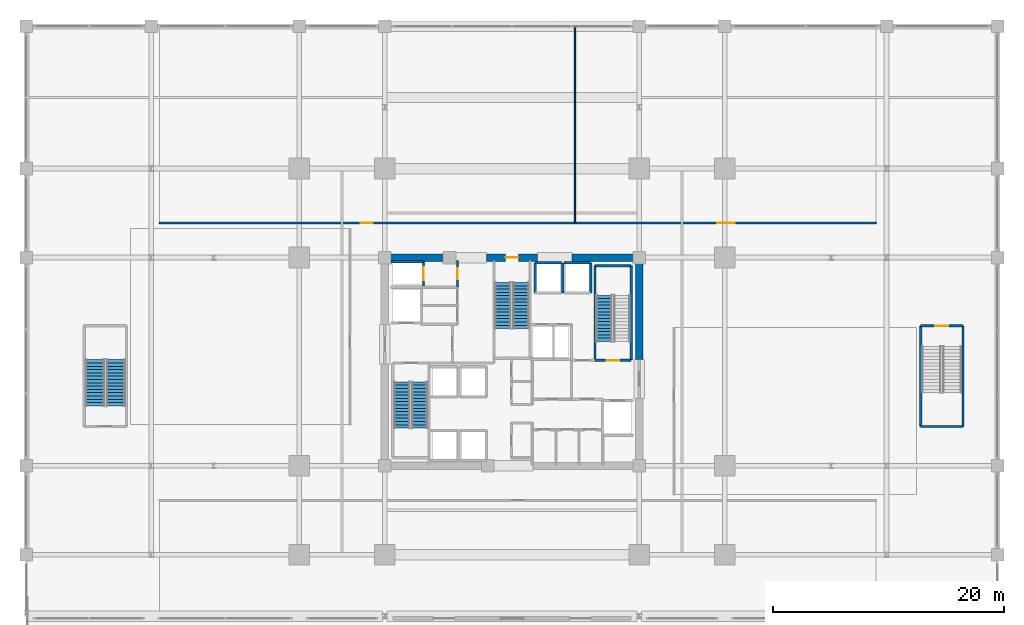
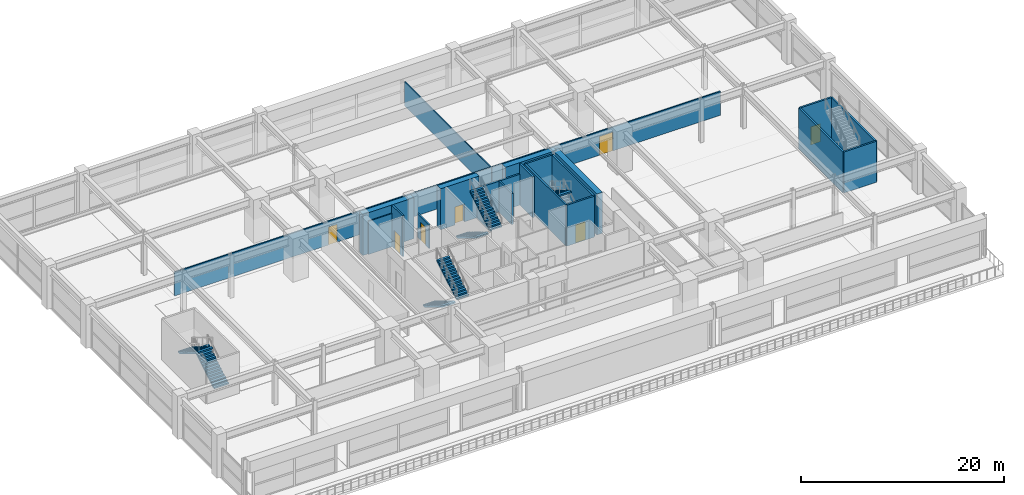
# One storey, part 37 of 43: 23 walls, 7 doors, 7 stair flights, 7 openings, 4 elements without a shape of their own.
"""IFC4 building model written with IfcOpenShell, lengths in metres."""

from ifc_helpers import new_model, si_unit, direction, frame, frame_2d, origin, place, context, subcontext, project, spatial, polyline, rectangle, outline, extrude, material, layer, layer_set, type_object, element, fill, aggregate, save


model = new_model("IFC4")

# Units and contexts
model_context = context("Model", 3, precision=1e-05, world=origin(), true_north=direction((0.0, 1.0)))
body_context = subcontext(model_context, "Body", "Model", "MODEL_VIEW")
ifc_project = project(units=[si_unit("LENGTHUNIT", "METRE"), si_unit("AREAUNIT", "SQUARE_METRE"), si_unit("VOLUMEUNIT", "CUBIC_METRE"), si_unit("PLANEANGLEUNIT", "RADIAN"), si_unit("MASSUNIT", "GRAM", prefix="KILO")], contexts=[model_context])

# Site, building, storey
site_placement = place(None, origin())
site = spatial("IfcSite", under=ifc_project, at=site_placement, CompositionType="ELEMENT")
building_placement = place(site_placement, origin())
building = spatial("IfcBuilding", under=site, at=building_placement, Name="Kovane Verandah Tower", CompositionType="ELEMENT")
storey_placement = place(building_placement, frame((0.0, 0.0, 11.199951171875)))
storey = spatial("IfcBuildingStorey", under=building, at=storey_placement, Name="L02", CompositionType="ELEMENT", Elevation=11.199951171875)

# Wall, opening, door
ifc_material_1 = material(Name="Fire-Rated Gypsum Stud Partition", Category="gypsum")
ifc_layer_1 = layer(ifc_material_1, 0.14990234375)
ifc_layer_set_1 = layer_set([ifc_layer_1], Name="Fire-Rated Gypsum Stud Partition")
wall_type_1 = type_object("IfcWallType", Name="WL-COR-150", PredefinedType="PARTITIONING", material=ifc_layer_set_1)
wall_1_placement = place(storey_placement, frame((35.280029296875, 33.949951171875, 0.0), z_axis=(0.0, 0.0, 1.0), x_axis=(0.0, 1.0, 0.0)))
wall_1 = element("IfcWall", 1, at=wall_1_placement, inside=storey, type_object=wall_type_1, Name="L02 Goods Lift Lobby East Fire Partition", PredefinedType="PARTITIONING", context=body_context, shape_type="SweptSolid", body=[
    extrude(rectangle(XDim=2.27001953125, YDim=0.14990234375, at=frame_2d((1.135009765625, 0.0))), origin(), (0.0, 0.0, 1.0), 2.85009765625),
])
opening_1_placement = place(wall_1_placement, frame((0.659912109375, 0.0, 0.0)))
opening_1 = element("IfcOpeningElement", 2, at=opening_1_placement, cuts=wall_1, Name="Opening DR-L02-006", PredefinedType="OPENING", context=body_context, shape_type="SweptSolid", body=[
    extrude(rectangle(XDim=0.949951171875, YDim=2.14990234375, at=frame_2d((0.47509765625, 1.074951171875))), frame((0.0, 0.074951171875, 0.0), z_axis=(0.0, -1.0, 0.0), x_axis=(1.0, 0.0, 0.0)), (0.0, 0.0, 1.0), 0.14990234375),
])
ifc_material_2 = material(Name="Fire-Rated Steel Refuge and Lobby Door", Category="steel")
door_type_1 = type_object("IfcDoorType", Name="DR-FIRE-950", OperationType="SINGLE_SWING_LEFT", PredefinedType="DOOR", material=ifc_material_2)
door_1_placement = place(opening_1_placement, origin())
door_1 = element("IfcDoor", 3, at=door_1_placement, inside=storey, type_object=door_type_1, Name="L02 Goods Lift Lobby Fire Door", OperationType="SINGLE_SWING_RIGHT", OverallHeight=2.14990234375, OverallWidth=0.949951171875, PredefinedType="DOOR", context=body_context, shape_type="SweptSolid", body=[
    extrude(rectangle(XDim=0.949951171875, YDim=2.14990234375, at=frame_2d((0.47509765625, 1.074951171875))), frame((0.0, 0.02490234375, 0.0), z_axis=(0.0, -1.0, 0.0), x_axis=(1.0, 0.0, 0.0)), (0.0, 0.0, 1.0), 0.050048828125),
])
fill(opening_1, door_1)

wall_2_placement = place(storey_placement, frame((9.5, 39.5, 0.0), z_axis=(0.0, 0.0, 1.0), x_axis=(1.0, 0.0, 0.0)))
wall_2 = element("IfcWall", 4, at=wall_2_placement, inside=storey, type_object=wall_type_1, Name="L02 North Exhibition Gallery Corridor Partition", PredefinedType="PARTITIONING", context=body_context, shape_type="SweptSolid", body=[
    extrude(rectangle(XDim=35.949951171875, YDim=0.14990234375, at=frame_2d((17.97509765625, 0.0))), origin(), (0.0, 0.0, 1.0), 2.85009765625),
])
opening_2_placement = place(wall_2_placement, frame((17.43994140625, 0.0, 0.0)))
opening_2 = element("IfcOpeningElement", 5, at=opening_2_placement, cuts=wall_2, Name="Opening DR-L02-022", PredefinedType="OPENING", context=body_context, shape_type="SweptSolid", body=[
    extrude(rectangle(XDim=1.0, YDim=2.14990234375, at=frame_2d((0.5, 1.074951171875))), frame((0.0, 0.074951171875, 0.0), z_axis=(0.0, -1.0, 0.0), x_axis=(1.0, 0.0, 0.0)), (0.0, 0.0, 1.0), 0.14990234375),
])
ifc_material_3 = material(Name="FSC Spotted-Gum Timber Fire-Rated Office Door", Category="wood")
door_type_2 = type_object("IfcDoorType", Name="DR-OFF-1000", OperationType="SINGLE_SWING_LEFT", PredefinedType="DOOR", material=ifc_material_3)
door_2_placement = place(opening_2_placement, origin())
door_2 = element("IfcDoor", 6, at=door_2_placement, inside=storey, type_object=door_type_2, Name="L02 North Exhibition Gallery Entrance Door", OperationType="SINGLE_SWING_RIGHT", OverallHeight=2.14990234375, OverallWidth=1.0, PredefinedType="DOOR", context=body_context, shape_type="SweptSolid", body=[
    extrude(rectangle(XDim=1.0, YDim=2.14990234375, at=frame_2d((0.5, 1.074951171875))), frame((0.0, 0.02490234375, 0.0), z_axis=(0.0, -1.0, 0.0), x_axis=(1.0, 0.0, 0.0)), (0.0, 0.0, 1.0), 0.050048828125),
])
fill(opening_2, door_2)

wall_3_placement = place(storey_placement, frame((45.52001953125, 39.5, 0.0), z_axis=(0.0, 0.0, 1.0), x_axis=(1.0, 0.0, 0.0)))
wall_3 = element("IfcWall", 7, at=wall_3_placement, inside=storey, type_object=wall_type_1, Name="L02 Executive Seminar Auditorium Corridor Partition", PredefinedType="PARTITIONING", context=body_context, shape_type="SweptSolid", body=[
    extrude(rectangle(XDim=25.97998046875, YDim=0.14990234375, at=frame_2d((12.989990234375, 0.0))), origin(), (0.0, 0.0, 1.0), 2.85009765625),
])
opening_3_placement = place(wall_3_placement, frame((12.239990234375, 0.0, 0.0)))
opening_3 = element("IfcOpeningElement", 8, at=opening_3_placement, cuts=wall_3, Name="Opening DR-L02-023", PredefinedType="OPENING", context=body_context, shape_type="SweptSolid", body=[
    extrude(rectangle(XDim=1.5, YDim=2.25, at=frame_2d((0.75, 1.125))), frame((0.0, 0.074951171875, 0.0), z_axis=(0.0, -1.0, 0.0), x_axis=(1.0, 0.0, 0.0)), (0.0, 0.0, 1.0), 0.14990234375),
])
ifc_material_4 = material(Name="Glazed Timber Fire-Rated Double Door", Category="wood")
door_type_3 = type_object("IfcDoorType", Name="DR-CONF-1500", OperationType="DOUBLE_DOOR_SINGLE_SWING", PredefinedType="DOOR", material=ifc_material_4)
door_3_placement = place(opening_3_placement, origin())
door_3 = element("IfcDoor", 9, at=door_3_placement, inside=storey, type_object=door_type_3, Name="L02 Executive Seminar Auditorium Entrance Door", OperationType="DOUBLE_DOOR_SINGLE_SWING", OverallHeight=2.25, OverallWidth=1.5, PredefinedType="DOOR", context=body_context, shape_type="SweptSolid", body=[
    extrude(rectangle(XDim=1.5, YDim=2.25, at=frame_2d((0.75, 1.125))), frame((0.0, 0.02490234375, 0.0), z_axis=(0.0, -1.0, 0.0), x_axis=(1.0, 0.0, 0.0)), (0.0, 0.0, 1.0), 0.050048828125),
])
fill(opening_3, door_3)

# Wall
ifc_material_5 = material(Name="Concrete C80/95", Category="concrete")
ifc_layer_2 = layer(ifc_material_5, 0.64990234375)
ifc_layer_set_2 = layer_set([ifc_layer_2], Name="Concrete C80/95")
wall_type_2 = type_object("IfcWallType", Name="WL-CORE-650", PredefinedType="SHEAR", material=ifc_layer_set_2)
wall_4_placement = place(storey_placement, frame((29.0, 36.5, 0.0), z_axis=(0.0, 0.0, 1.0), x_axis=(1.0, 0.0, 0.0)))
element("IfcWall", 10, at=wall_4_placement, inside=storey, type_object=wall_type_2, Name="L02 Core Shear Wall CN-1", PredefinedType="SHEAR", context=body_context, shape_type="SweptSolid", body=[
    extrude(rectangle(XDim=5.800048828125, YDim=0.64990234375, at=frame_2d((2.89990234375, 0.0))), origin(), (0.0, 0.0, 1.0), 4.920166015625),
])

# Wall, opening, door
wall_5_placement = place(storey_placement, frame((37.800048828125, 36.5, 0.0), z_axis=(0.0, 0.0, 1.0), x_axis=(1.0, 0.0, 0.0)))
wall_5 = element("IfcWall", 11, at=wall_5_placement, inside=storey, type_object=wall_type_2, Name="L02 Core Shear Wall CN-2", PredefinedType="SHEAR", context=body_context, shape_type="SweptSolid", body=[
    extrude(rectangle(XDim=4.39990234375, YDim=0.64990234375, at=frame_2d((2.199951171875, 0.0))), origin(), (0.0, 0.0, 1.0), 4.920166015625),
])
opening_4_placement = place(wall_5_placement, frame((1.64990234375, 0.0, 0.0)))
opening_4 = element("IfcOpeningElement", 12, at=opening_4_placement, cuts=wall_5, Name="Opening DR-L02-009", PredefinedType="OPENING", context=body_context, shape_type="SweptSolid", body=[
    extrude(rectangle(XDim=1.10009765625, YDim=2.14990234375, at=frame_2d((0.550048828125, 1.074951171875))), frame((0.0, 0.324951171875, 0.0), z_axis=(0.0, -1.0, 0.0), x_axis=(1.0, 0.0, 0.0)), (0.0, 0.0, 1.0), 0.64990234375),
])
ifc_material_6 = material(Name="Fire-Rated Steel Exit Door", Category="steel")
door_type_4 = type_object("IfcDoorType", Name="DR-STAIR-1100", OperationType="SINGLE_SWING_LEFT", PredefinedType="DOOR", material=ifc_material_6)
door_4_placement = place(opening_4_placement, origin())
door_4 = element("IfcDoor", 13, at=door_4_placement, inside=storey, type_object=door_type_4, Name="L02 ST-03 Fire Exit Stair Door", OperationType="SINGLE_SWING_RIGHT", OverallHeight=2.14990234375, OverallWidth=1.10009765625, PredefinedType="DOOR", context=body_context, shape_type="SweptSolid", body=[
    extrude(rectangle(XDim=1.10009765625, YDim=2.14990234375, at=frame_2d((0.550048828125, 1.074951171875))), frame((0.0, 0.02490234375, 0.0), z_axis=(0.0, -1.0, 0.0), x_axis=(1.0, 0.0, 0.0)), (0.0, 0.0, 1.0), 0.050048828125),
])
fill(opening_4, door_4)

# Walls
wall_6_placement = place(storey_placement, frame((45.199951171875, 36.5, 0.0), z_axis=(0.0, 0.0, 1.0), x_axis=(1.0, 0.0, 0.0)))
element("IfcWall", 14, at=wall_6_placement, inside=storey, type_object=wall_type_2, Name="L02 Core Shear Wall CN-3", PredefinedType="SHEAR", context=body_context, shape_type="SweptSolid", body=[
    extrude(rectangle(XDim=5.800048828125, YDim=0.64990234375, at=frame_2d((2.89990234375, 0.0))), origin(), (0.0, 0.0, 1.0), 4.920166015625),
])
wall_7_placement = place(storey_placement, frame((51.0, 27.699951171875, 0.0), z_axis=(0.0, 0.0, 1.0), x_axis=(0.0, 1.0, 0.0)))
element("IfcWall", 15, at=wall_7_placement, inside=storey, type_object=wall_type_2, Name="L02 Core Shear Wall CE-2", PredefinedType="SHEAR", context=body_context, shape_type="SweptSolid", body=[
    extrude(rectangle(XDim=8.800048828125, YDim=0.64990234375, at=frame_2d((4.39990234375, 0.0))), origin(), (0.0, 0.0, 1.0), 4.920166015625),
])
ifc_material_7 = material(Name="Concrete C45/55 Lift Shaft Wall", Category="concrete")
ifc_layer_3 = layer(ifc_material_7, 0.199951171875)
ifc_layer_set_3 = layer_set([ifc_layer_3], Name="Concrete C45/55 Lift Shaft Wall")
wall_type_3 = type_object("IfcWallType", Name="WL-LIFT-200", PredefinedType="SOLIDWALL", material=ifc_layer_set_3)
wall_8_placement = place(storey_placement, frame((32.35009765625, 36.14990234375, 0.0), z_axis=(0.0, 0.0, 1.0), x_axis=(-1.0, 0.0, 0.0)))
element("IfcWall", 16, at=wall_8_placement, inside=storey, type_object=wall_type_3, Name="L02 Lift GL-01 N Shaft Wall", PredefinedType="SOLIDWALL", context=body_context, shape_type="SweptSolid", body=[
    extrude(rectangle(XDim=2.800048828125, YDim=0.199951171875, at=frame_2d((1.39990234375, 0.0))), origin(), (0.0, 0.0, 1.0), 3.97900390625),
])

# Wall, opening, door
wall_9_placement = place(storey_placement, frame((32.35009765625, 34.050048828125, 0.0), z_axis=(0.0, 0.0, 1.0), x_axis=(0.0, 1.0, 0.0)))
wall_9 = element("IfcWall", 17, at=wall_9_placement, inside=storey, type_object=wall_type_3, Name="L02 Lift GL-01 E Shaft Wall", PredefinedType="SOLIDWALL", context=body_context, shape_type="SweptSolid", body=[
    extrude(rectangle(XDim=2.099853515625, YDim=0.199951171875, at=frame_2d((1.0498046875, 0.0))), origin(), (0.0, 0.0, 1.0), 4.920166015625),
])
opening_5_placement = place(wall_9_placement, frame((0.5, 0.0, 0.0)))
opening_5 = element("IfcOpeningElement", 18, at=opening_5_placement, cuts=wall_9, Name="Opening LD-L02-003", PredefinedType="OPENING", context=body_context, shape_type="SweptSolid", body=[
    extrude(rectangle(XDim=1.10009765625, YDim=2.199951171875, at=frame_2d((0.550048828125, 1.10009765625))), frame((0.0, 0.10009765625, 0.0), z_axis=(0.0, -1.0, 0.0), x_axis=(1.0, 0.0, 0.0)), (0.0, 0.0, 1.0), 0.199951171875),
])
ifc_material_8 = material(Name="Brushed Stainless Steel Sliding Lift Landing Door", Category="steel")
door_type_5 = type_object("IfcDoorType", Name="DR-LIFT-1100", OperationType="SLIDING_TO_RIGHT", PredefinedType="DOOR", material=ifc_material_8)
door_5_placement = place(opening_5_placement, origin())
door_5 = element("IfcDoor", 19, at=door_5_placement, inside=storey, type_object=door_type_5, Name="L02 Lift GL-01 Sliding Landing Door", OperationType="SLIDING_TO_RIGHT", OverallHeight=2.199951171875, OverallWidth=1.10009765625, PredefinedType="DOOR", context=body_context, shape_type="SweptSolid", body=[
    extrude(rectangle(XDim=1.10009765625, YDim=2.199951171875, at=frame_2d((0.550048828125, 1.10009765625))), frame((0.0, 0.02490234375, 0.0), z_axis=(0.0, -1.0, 0.0), x_axis=(1.0, 0.0, 0.0)), (0.0, 0.0, 1.0), 0.050048828125),
])
fill(opening_5, door_5)

# Walls
wall_10_placement = place(storey_placement, frame((44.300048828125, 36.050048828125, 0.0), z_axis=(0.0, 0.0, 1.0), x_axis=(-1.0, 0.0, 0.0)))
element("IfcWall", 20, at=wall_10_placement, inside=storey, type_object=wall_type_3, Name="L02 Lift SL-01 N Shaft Wall", PredefinedType="SOLIDWALL", context=body_context, shape_type="SweptSolid", body=[
    extrude(rectangle(XDim=2.300048828125, YDim=0.199951171875, at=frame_2d((1.14990234375, 0.0))), origin(), (0.0, 0.0, 1.0), 3.699951171875),
])
for number, where, z_axis, x_axis, name in (
    (21, (42.0, 36.050048828125, 0.0), (0.0, 0.0, 1.0), (0.0, -1.0, 0.0), "L02 Lift SL-01 W Shaft Wall"),
    (22, (44.39990234375, 33.449951171875, 0.0), (0.0, 0.0, 1.0), (0.0, 1.0, 0.0), "L02 Lift OL-01 and SL-01 Shared Shaft Wall"),
):
    element("IfcWall", number, at=place(storey_placement, frame(where, z_axis=z_axis, x_axis=x_axis)), inside=storey, type_object=wall_type_3, Name=name, PredefinedType="SOLIDWALL", context=body_context, shape_type="SweptSolid", body=[
        extrude(rectangle(XDim=2.60009765625, YDim=0.199951171875, at=frame_2d((1.300048828125, 0.0))), origin(), (0.0, 0.0, 1.0), 3.699951171875),
    ])
wall_11_placement = place(storey_placement, frame((46.800048828125, 36.050048828125, 0.0), z_axis=(0.0, 0.0, 1.0), x_axis=(-1.0, 0.0, 0.0)))
element("IfcWall", 23, at=wall_11_placement, inside=storey, type_object=wall_type_3, Name="L02 Lift OL-01 N Shaft Wall", PredefinedType="SOLIDWALL", context=body_context, shape_type="SweptSolid", body=[
    extrude(rectangle(XDim=2.300048828125, YDim=0.199951171875, at=frame_2d((1.14990234375, 0.0))), origin(), (0.0, 0.0, 1.0), 3.699951171875),
])
wall_12_placement = place(storey_placement, frame((46.800048828125, 33.449951171875, 0.0), z_axis=(0.0, 0.0, 1.0), x_axis=(0.0, 1.0, 0.0)))
element("IfcWall", 24, at=wall_12_placement, inside=storey, type_object=wall_type_3, Name="L02 Lift OL-01 E Shaft Wall", PredefinedType="SOLIDWALL", context=body_context, shape_type="SweptSolid", body=[
    extrude(rectangle(XDim=2.60009765625, YDim=0.199951171875, at=frame_2d((1.300048828125, 0.0))), origin(), (0.0, 0.0, 1.0), 4.920166015625),
])
ifc_material_9 = material(Name="Acoustic Fire-Rated Gypsum Partition", Category="gypsum")
ifc_layer_4 = layer(ifc_material_9, 0.1201171875)
ifc_layer_set_4 = layer_set([ifc_layer_4], Name="Acoustic Fire-Rated Gypsum Partition")
wall_type_4 = type_object("IfcWallType", Name="WL-PART-120", PredefinedType="PARTITIONING", material=ifc_layer_set_4)
wall_13_placement = place(storey_placement, frame((45.449951171875, 39.5, 0.0), z_axis=(0.0, 0.0, 1.0), x_axis=(0.0, 1.0, 0.0)))
element("IfcWall", 25, at=wall_13_placement, inside=storey, type_object=wall_type_4, Name="L02 North Exhibition Gallery Dividing Partition", PredefinedType="PARTITIONING", context=body_context, shape_type="SweptSolid", body=[
    extrude(rectangle(XDim=16.89990234375, YDim=0.1201171875, at=frame_2d((8.449951171875, 0.0))), origin(), (0.0, 0.0, 1.0), 2.85009765625),
])
ifc_material_10 = material(Name="Concrete C45/55", Category="concrete")
ifc_layer_5 = layer(ifc_material_10, 0.199951171875)
ifc_layer_set_5 = layer_set([ifc_layer_5], Name="Concrete C45/55")
wall_type_5 = type_object("IfcWallType", Name="WL-SHAFT-200", PredefinedType="SOLIDWALL", material=ifc_layer_set_5)
wall_14_placement = place(storey_placement, frame((50.300048828125, 27.64990234375, 0.0), z_axis=(0.0, 0.0, 1.0), x_axis=(0.0, 1.0, 0.0)))
element("IfcWall", 26, at=wall_14_placement, inside=storey, type_object=wall_type_5, Name="W-L02-ST02-E", PredefinedType="SOLIDWALL", context=body_context, shape_type="SweptSolid", body=[
    extrude(rectangle(XDim=8.150146484375, YDim=0.199951171875, at=frame_2d((4.0751953125, 0.0))), origin(), (0.0, 0.0, 1.0), 4.920166015625),
])
wall_15_placement = place(storey_placement, frame((47.179931640625, 35.800048828125, 0.0), z_axis=(0.0, 0.0, 1.0), x_axis=(1.0, 0.0, 0.0)))
element("IfcWall", 27, at=wall_15_placement, inside=storey, type_object=wall_type_5, Name="W-L02-ST02-N", PredefinedType="SOLIDWALL", context=body_context, shape_type="SweptSolid", body=[
    extrude(rectangle(XDim=3.1201171875, YDim=0.199951171875, at=frame_2d((1.56005859375, 0.0))), origin(), (0.0, 0.0, 1.0), 4.920166015625),
])
wall_16_placement = place(storey_placement, frame((47.179931640625, 27.6201171875, 0.0), z_axis=(0.0, 0.0, 1.0), x_axis=(0.0, 1.0, 0.0)))
element("IfcWall", 28, at=wall_16_placement, inside=storey, type_object=wall_type_5, Name="W-L02-ST02-W", PredefinedType="SOLIDWALL", context=body_context, shape_type="SweptSolid", body=[
    extrude(rectangle(XDim=8.179931640625, YDim=0.199951171875, at=frame_2d((4.08984375, 0.0))), origin(), (0.0, 0.0, 1.0), 4.920166015625),
])

# Wall, opening, door
wall_17_placement = place(storey_placement, frame((47.179931640625, 27.6201171875, 0.0), z_axis=(0.0, 0.0, 1.0), x_axis=(1.0, 0.0, 0.0)))
wall_17 = element("IfcWall", 29, at=wall_17_placement, inside=storey, type_object=wall_type_5, Name="W-L02-ST02-S", PredefinedType="SOLIDWALL", context=body_context, shape_type="SweptSolid", body=[
    extrude(rectangle(XDim=3.1201171875, YDim=0.199951171875, at=frame_2d((1.56005859375, 0.0))), origin(), (0.0, 0.0, 1.0), 4.920166015625),
])
opening_6_placement = place(wall_17_placement, frame((1.010009765625, 0.0, 0.0)))
opening_6 = element("IfcOpeningElement", 30, at=opening_6_placement, cuts=wall_17, Name="Opening DR-L02-008", PredefinedType="OPENING", context=body_context, shape_type="SweptSolid", body=[
    extrude(rectangle(XDim=1.10009765625, YDim=2.14990234375, at=frame_2d((0.550048828125, 1.074951171875))), frame((0.0, 0.10009765625, 0.0), z_axis=(0.0, -1.0, 0.0), x_axis=(1.0, 0.0, 0.0)), (0.0, 0.0, 1.0), 0.199951171875),
])
door_6_placement = place(opening_6_placement, origin())
door_6 = element("IfcDoor", 31, at=door_6_placement, inside=storey, type_object=door_type_4, Name="L02 ST-02 Fire Exit Stair Door", OperationType="SINGLE_SWING_LEFT", OverallHeight=2.14990234375, OverallWidth=1.10009765625, PredefinedType="DOOR", context=body_context, shape_type="SweptSolid", body=[
    extrude(rectangle(XDim=1.10009765625, YDim=2.14990234375, at=frame_2d((0.550048828125, 1.074951171875))), frame((0.0, 0.02490234375, 0.0), z_axis=(0.0, -1.0, 0.0), x_axis=(1.0, 0.0, 0.0)), (0.0, 0.0, 1.0), 0.050048828125),
])
fill(opening_6, door_6)

# Walls
for number, where, z_axis, x_axis, name in (
    (32, (75.340087890625, 21.89990234375, 0.0), (0.0, 0.0, 1.0), (0.0, 1.0, 0.0), "W-L02-ST-05-W"),
    (33, (79.0, 21.89990234375, 0.0), (0.0, 0.0, 1.0), (0.0, 1.0, 0.0), "W-L02-ST-05-E"),
):
    element("IfcWall", number, at=place(storey_placement, frame(where, z_axis=z_axis, x_axis=x_axis)), inside=storey, type_object=wall_type_5, Name=name, PredefinedType="SOLIDWALL", context=body_context, shape_type="SweptSolid", body=[
        extrude(rectangle(XDim=8.7001953125, YDim=0.199951171875, at=frame_2d((4.35009765625, 0.0))), origin(), (0.0, 0.0, 1.0), 4.920166015625),
    ])

# Wall, opening, door
wall_18_placement = place(storey_placement, frame((75.340087890625, 30.60009765625, 0.0), z_axis=(0.0, 0.0, 1.0), x_axis=(1.0, 0.0, 0.0)))
wall_18 = element("IfcWall", 34, at=wall_18_placement, inside=storey, type_object=wall_type_5, Name="W-L02-ST-05-N", PredefinedType="SOLIDWALL", context=body_context, shape_type="SweptSolid", body=[
    extrude(rectangle(XDim=3.659912109375, YDim=0.199951171875, at=frame_2d((1.830078125, 0.0))), origin(), (0.0, 0.0, 1.0), 4.920166015625),
])
opening_7_placement = place(wall_18_placement, frame((1.280029296875, 0.0, 0.0)))
opening_7 = element("IfcOpeningElement", 35, at=opening_7_placement, cuts=wall_18, Name="Opening DR-L02-011", PredefinedType="OPENING", context=body_context, shape_type="SweptSolid", body=[
    extrude(rectangle(XDim=1.10009765625, YDim=2.14990234375, at=frame_2d((0.550048828125, 1.074951171875))), frame((0.0, 0.10009765625, 0.0), z_axis=(0.0, -1.0, 0.0), x_axis=(1.0, 0.0, 0.0)), (0.0, 0.0, 1.0), 0.199951171875),
])
door_7_placement = place(opening_7_placement, origin())
door_7 = element("IfcDoor", 36, at=door_7_placement, inside=storey, type_object=door_type_4, Name="L02 ST-05 Fire Exit Stair Door", OperationType="SINGLE_SWING_RIGHT", OverallHeight=2.14990234375, OverallWidth=1.10009765625, PredefinedType="DOOR", context=body_context, shape_type="SweptSolid", body=[
    extrude(rectangle(XDim=1.10009765625, YDim=2.14990234375, at=frame_2d((0.550048828125, 1.074951171875))), frame((0.0, 0.02490234375, 0.0), z_axis=(0.0, -1.0, 0.0), x_axis=(1.0, 0.0, 0.0)), (0.0, 0.0, 1.0), 0.050048828125),
])
fill(opening_7, door_7)

# Wall
wall_19_placement = place(storey_placement, frame((75.340087890625, 21.89990234375, 0.0), z_axis=(0.0, 0.0, 1.0), x_axis=(1.0, 0.0, 0.0)))
element("IfcWall", 37, at=wall_19_placement, inside=storey, type_object=wall_type_5, Name="W-L02-ST-05-S", PredefinedType="SOLIDWALL", context=body_context, shape_type="SweptSolid", body=[
    extrude(rectangle(XDim=3.659912109375, YDim=0.199951171875, at=frame_2d((1.830078125, 0.0))), origin(), (0.0, 0.0, 1.0), 4.920166015625),
])

# Stair, stair flights
stair_type = type_object("IfcStairType", Name="ST-CORE-1380", PredefinedType="HALF_TURN_STAIR", material=ifc_material_10)
stair_1_placement = place(storey_placement, origin())
stair_1 = element("IfcStair", 38, at=stair_1_placement, inside=storey, type_object=stair_type, Name="L02 Exit Stair ST-01", PredefinedType="HALF_TURN_STAIR")
stair_flight_type = type_object("IfcStairFlightType", Name="STF-CORE-1380", PredefinedType="STRAIGHT", material=ifc_material_10)
stair_flight_1_placement = place(storey_placement, frame((30.489990234375, 25.75, 0.0), z_axis=(0.0, 0.0, 1.0), x_axis=(0.0, -1.0, 0.0)))
stair_flight_1 = element("IfcStairFlight", 39, at=stair_flight_1_placement, type_object=stair_flight_type, Name="ST-01 flight 1", NumberOfRisers=15, NumberOfTreads=14, PredefinedType="STRAIGHT", RiserHeight=0.173333333, TreadLength=0.285, context=body_context, shape_type="SweptSolid", body=[
    extrude(outline(polyline([(0.0, 0.0), (0.0, 0.17333984375), (0.284912109375, 0.17333984375), (0.284912109375, 0.3466796875), (0.570068359375, 0.3466796875), (0.570068359375, 0.52001953125), (0.85498046875, 0.52001953125), (0.85498046875, 0.693359375), (1.139892578125, 0.693359375), (1.139892578125, 0.86669921875), (1.425048828125, 0.86669921875), (1.425048828125, 1.0400390625), (1.7099609375, 1.0400390625), (1.7099609375, 1.21337890625), (1.9951171875, 1.21337890625), (1.9951171875, 1.38671875), (2.280029296875, 1.38671875), (2.280029296875, 1.56005859375), (2.56494140625, 1.56005859375), (2.56494140625, 1.7333984375), (2.85009765625, 1.7333984375), (2.85009765625, 1.90673828125), (3.135009765625, 1.90673828125), (3.135009765625, 2.080078125), (3.419921875, 2.080078125), (3.419921875, 2.25341796875), (3.705078125, 2.25341796875), (3.705078125, 2.4267578125), (3.989990234375, 2.4267578125), (3.989990234375, 2.60009765625), (3.989990234375, 2.251220703125), (0.28857421875, 0.0), (0.0, 0.0)])), frame((0.0, 0.68994140625, 0.0), z_axis=(0.0, -1.0, 0.0), x_axis=(1.0, 0.0, 0.0)), (0.0, 0.0, 1.0), 1.3798828125),
])
stair_flight_2_placement = place(storey_placement, frame((32.030029296875, 21.760009765625, 2.60009765625), z_axis=(0.0, 0.0, 1.0), x_axis=(0.0, 1.0, 0.0)))
stair_flight_2 = element("IfcStairFlight", 40, at=stair_flight_2_placement, type_object=stair_flight_type, Name="ST-01 flight 2", NumberOfRisers=15, NumberOfTreads=14, PredefinedType="STRAIGHT", RiserHeight=0.173333333, TreadLength=0.285, context=body_context, shape_type="SweptSolid", body=[
    extrude(outline(polyline([(0.0, 0.0), (0.0, 0.17333984375), (0.284912109375, 0.17333984375), (0.284912109375, 0.3466796875), (0.570068359375, 0.3466796875), (0.570068359375, 0.52001953125), (0.85498046875, 0.52001953125), (0.85498046875, 0.693359375), (1.139892578125, 0.693359375), (1.139892578125, 0.86669921875), (1.425048828125, 0.86669921875), (1.425048828125, 1.0400390625), (1.7099609375, 1.0400390625), (1.7099609375, 1.21337890625), (1.9951171875, 1.21337890625), (1.9951171875, 1.38671875), (2.280029296875, 1.38671875), (2.280029296875, 1.56005859375), (2.56494140625, 1.56005859375), (2.56494140625, 1.7333984375), (2.85009765625, 1.7333984375), (2.85009765625, 1.90673828125), (3.135009765625, 1.90673828125), (3.135009765625, 2.080078125), (3.419921875, 2.080078125), (3.419921875, 2.25341796875), (3.705078125, 2.25341796875), (3.705078125, 2.4267578125), (3.989990234375, 2.4267578125), (3.989990234375, 2.60009765625), (3.989990234375, 2.251220703125), (0.28857421875, 0.0), (0.0, 0.0)])), frame((0.0, 0.68994140625, 0.0), z_axis=(0.0, -1.0, 0.0), x_axis=(1.0, 0.0, 0.0)), (0.0, 0.0, 1.0), 1.3798828125),
])
aggregate(stair_1, [stair_flight_1, stair_flight_2])

# Stair, stair flight
stair_2_placement = place(storey_placement, origin())
stair_2 = element("IfcStair", 41, at=stair_2_placement, inside=storey, type_object=stair_type, Name="L02 Exit Stair ST-02", PredefinedType="HALF_TURN_STAIR")
stair_flight_3_placement = place(storey_placement, frame((47.969970703125, 33.239990234375, 2.60009765625), z_axis=(0.0, 0.0, 1.0), x_axis=(0.0, -1.0, 0.0)))
stair_flight_3 = element("IfcStairFlight", 42, at=stair_flight_3_placement, type_object=stair_flight_type, Name="ST-02 flight 2", NumberOfRisers=15, NumberOfTreads=14, PredefinedType="STRAIGHT", RiserHeight=0.173333333, TreadLength=0.285, context=body_context, shape_type="SweptSolid", body=[
    extrude(outline(polyline([(0.0, 0.0), (0.0, 0.17333984375), (0.284912109375, 0.17333984375), (0.284912109375, 0.3466796875), (0.570068359375, 0.3466796875), (0.570068359375, 0.52001953125), (0.85498046875, 0.52001953125), (0.85498046875, 0.693359375), (1.139892578125, 0.693359375), (1.139892578125, 0.86669921875), (1.425048828125, 0.86669921875), (1.425048828125, 1.0400390625), (1.7099609375, 1.0400390625), (1.7099609375, 1.21337890625), (1.9951171875, 1.21337890625), (1.9951171875, 1.38671875), (2.280029296875, 1.38671875), (2.280029296875, 1.56005859375), (2.56494140625, 1.56005859375), (2.56494140625, 1.7333984375), (2.85009765625, 1.7333984375), (2.85009765625, 1.90673828125), (3.135009765625, 1.90673828125), (3.135009765625, 2.080078125), (3.419921875, 2.080078125), (3.419921875, 2.25341796875), (3.705078125, 2.25341796875), (3.705078125, 2.4267578125), (3.989990234375, 2.4267578125), (3.989990234375, 2.60009765625), (3.989990234375, 2.251220703125), (0.28857421875, 0.0), (0.0, 0.0)])), frame((0.0, 0.68994140625, 0.0), z_axis=(0.0, -1.0, 0.0), x_axis=(1.0, 0.0, 0.0)), (0.0, 0.0, 1.0), 1.3798828125),
])
aggregate(stair_2, [stair_flight_3])

# Stair, stair flights
stair_3_placement = place(storey_placement, origin())
stair_3 = element("IfcStair", 43, at=stair_3_placement, inside=storey, type_object=stair_type, Name="L02 Exit Stair ST-03", PredefinedType="HALF_TURN_STAIR")
stair_flight_4_placement = place(storey_placement, frame((39.22998046875, 34.35009765625, 0.0), z_axis=(0.0, 0.0, 1.0), x_axis=(0.0, -1.0, 0.0)))
stair_flight_4 = element("IfcStairFlight", 44, at=stair_flight_4_placement, type_object=stair_flight_type, Name="ST-03 flight 1", NumberOfRisers=15, NumberOfTreads=14, PredefinedType="STRAIGHT", RiserHeight=0.173333333, TreadLength=0.285, context=body_context, shape_type="SweptSolid", body=[
    extrude(outline(polyline([(0.0, 0.0), (0.0, 0.17333984375), (0.284912109375, 0.17333984375), (0.284912109375, 0.3466796875), (0.570068359375, 0.3466796875), (0.570068359375, 0.52001953125), (0.85498046875, 0.52001953125), (0.85498046875, 0.693359375), (1.139892578125, 0.693359375), (1.139892578125, 0.86669921875), (1.425048828125, 0.86669921875), (1.425048828125, 1.0400390625), (1.7099609375, 1.0400390625), (1.7099609375, 1.21337890625), (1.9951171875, 1.21337890625), (1.9951171875, 1.38671875), (2.280029296875, 1.38671875), (2.280029296875, 1.56005859375), (2.56494140625, 1.56005859375), (2.56494140625, 1.7333984375), (2.85009765625, 1.7333984375), (2.85009765625, 1.90673828125), (3.135009765625, 1.90673828125), (3.135009765625, 2.080078125), (3.419921875, 2.080078125), (3.419921875, 2.25341796875), (3.705078125, 2.25341796875), (3.705078125, 2.4267578125), (3.989990234375, 2.4267578125), (3.989990234375, 2.60009765625), (3.989990234375, 2.251220703125), (0.28857421875, 0.0), (0.0, 0.0)])), frame((0.0, 0.68994140625, 0.0), z_axis=(0.0, -1.0, 0.0), x_axis=(1.0, 0.0, 0.0)), (0.0, 0.0, 1.0), 1.3798828125),
])
stair_flight_5_placement = place(storey_placement, frame((40.77001953125, 30.360107421875, 2.60009765625), z_axis=(0.0, 0.0, 1.0), x_axis=(0.0, 1.0, 0.0)))
stair_flight_5 = element("IfcStairFlight", 45, at=stair_flight_5_placement, type_object=stair_flight_type, Name="ST-03 flight 2", NumberOfRisers=15, NumberOfTreads=14, PredefinedType="STRAIGHT", RiserHeight=0.173333333, TreadLength=0.285, context=body_context, shape_type="SweptSolid", body=[
    extrude(outline(polyline([(0.0, 0.0), (0.0, 0.17333984375), (0.284912109375, 0.17333984375), (0.284912109375, 0.3466796875), (0.570068359375, 0.3466796875), (0.570068359375, 0.52001953125), (0.85498046875, 0.52001953125), (0.85498046875, 0.693359375), (1.139892578125, 0.693359375), (1.139892578125, 0.86669921875), (1.425048828125, 0.86669921875), (1.425048828125, 1.0400390625), (1.7099609375, 1.0400390625), (1.7099609375, 1.21337890625), (1.9951171875, 1.21337890625), (1.9951171875, 1.38671875), (2.280029296875, 1.38671875), (2.280029296875, 1.56005859375), (2.56494140625, 1.56005859375), (2.56494140625, 1.7333984375), (2.85009765625, 1.7333984375), (2.85009765625, 1.90673828125), (3.135009765625, 1.90673828125), (3.135009765625, 2.080078125), (3.419921875, 2.080078125), (3.419921875, 2.25341796875), (3.705078125, 2.25341796875), (3.705078125, 2.4267578125), (3.989990234375, 2.4267578125), (3.989990234375, 2.60009765625), (3.989990234375, 2.251220703125), (0.28857421875, 0.0), (0.0, 0.0)])), frame((0.0, 0.68994140625, 0.0), z_axis=(0.0, -1.0, 0.0), x_axis=(1.0, 0.0, 0.0)), (0.0, 0.0, 1.0), 1.3798828125),
])
aggregate(stair_3, [stair_flight_4, stair_flight_5])

stair_4_placement = place(storey_placement, origin())
stair_4 = element("IfcStair", 46, at=stair_4_placement, inside=storey, type_object=stair_type, Name="L02 Exit Stair ST-04", PredefinedType="HALF_TURN_STAIR")
stair_flight_6_placement = place(storey_placement, frame((5.735107421875, 23.679931640625, 0.0), z_axis=(0.0, 0.0, 1.0), x_axis=(0.0, 1.0, 0.0)))
stair_flight_6 = element("IfcStairFlight", 47, at=stair_flight_6_placement, type_object=stair_flight_type, Name="ST-04 flight 1", NumberOfRisers=15, NumberOfTreads=14, PredefinedType="STRAIGHT", RiserHeight=0.173333333, TreadLength=0.285, context=body_context, shape_type="SweptSolid", body=[
    extrude(outline(polyline([(0.0, 0.0), (0.0, 0.17333984375), (0.284912109375, 0.17333984375), (0.284912109375, 0.3466796875), (0.570068359375, 0.3466796875), (0.570068359375, 0.52001953125), (0.85498046875, 0.52001953125), (0.85498046875, 0.693359375), (1.139892578125, 0.693359375), (1.139892578125, 0.86669921875), (1.425048828125, 0.86669921875), (1.425048828125, 1.0400390625), (1.7099609375, 1.0400390625), (1.7099609375, 1.21337890625), (1.9951171875, 1.21337890625), (1.9951171875, 1.38671875), (2.280029296875, 1.38671875), (2.280029296875, 1.56005859375), (2.56494140625, 1.56005859375), (2.56494140625, 1.7333984375), (2.85009765625, 1.7333984375), (2.85009765625, 1.90673828125), (3.135009765625, 1.90673828125), (3.135009765625, 2.080078125), (3.419921875, 2.080078125), (3.419921875, 2.25341796875), (3.705078125, 2.25341796875), (3.705078125, 2.4267578125), (3.989990234375, 2.4267578125), (3.989990234375, 2.60009765625), (3.989990234375, 2.251220703125), (0.28857421875, 0.0), (0.0, 0.0)])), frame((0.0, 0.824951171875, 0.0), z_axis=(0.0, -1.0, 0.0), x_axis=(1.0, 0.0, 0.0)), (0.0, 0.0, 1.0), 1.64990234375),
])
stair_flight_7_placement = place(storey_placement, frame((3.925048828125, 27.669921875, 2.60009765625), z_axis=(0.0, 0.0, 1.0), x_axis=(0.0, -1.0, 0.0)))
stair_flight_7 = element("IfcStairFlight", 48, at=stair_flight_7_placement, type_object=stair_flight_type, Name="ST-04 flight 2", NumberOfRisers=15, NumberOfTreads=14, PredefinedType="STRAIGHT", RiserHeight=0.173333333, TreadLength=0.285, context=body_context, shape_type="SweptSolid", body=[
    extrude(outline(polyline([(0.0, 0.0), (0.0, 0.17333984375), (0.284912109375, 0.17333984375), (0.284912109375, 0.3466796875), (0.570068359375, 0.3466796875), (0.570068359375, 0.52001953125), (0.85498046875, 0.52001953125), (0.85498046875, 0.693359375), (1.139892578125, 0.693359375), (1.139892578125, 0.86669921875), (1.425048828125, 0.86669921875), (1.425048828125, 1.0400390625), (1.7099609375, 1.0400390625), (1.7099609375, 1.21337890625), (1.9951171875, 1.21337890625), (1.9951171875, 1.38671875), (2.280029296875, 1.38671875), (2.280029296875, 1.56005859375), (2.56494140625, 1.56005859375), (2.56494140625, 1.7333984375), (2.85009765625, 1.7333984375), (2.85009765625, 1.90673828125), (3.135009765625, 1.90673828125), (3.135009765625, 2.080078125), (3.419921875, 2.080078125), (3.419921875, 2.25341796875), (3.705078125, 2.25341796875), (3.705078125, 2.4267578125), (3.989990234375, 2.4267578125), (3.989990234375, 2.60009765625), (3.989990234375, 2.251220703125), (0.28857421875, 0.0), (0.0, 0.0)])), frame((0.0, 0.824951171875, 0.0), z_axis=(0.0, -1.0, 0.0), x_axis=(1.0, 0.0, 0.0)), (0.0, 0.0, 1.0), 1.64990234375),
])
aggregate(stair_4, [stair_flight_6, stair_flight_7])

save(model, "model.ifc")
